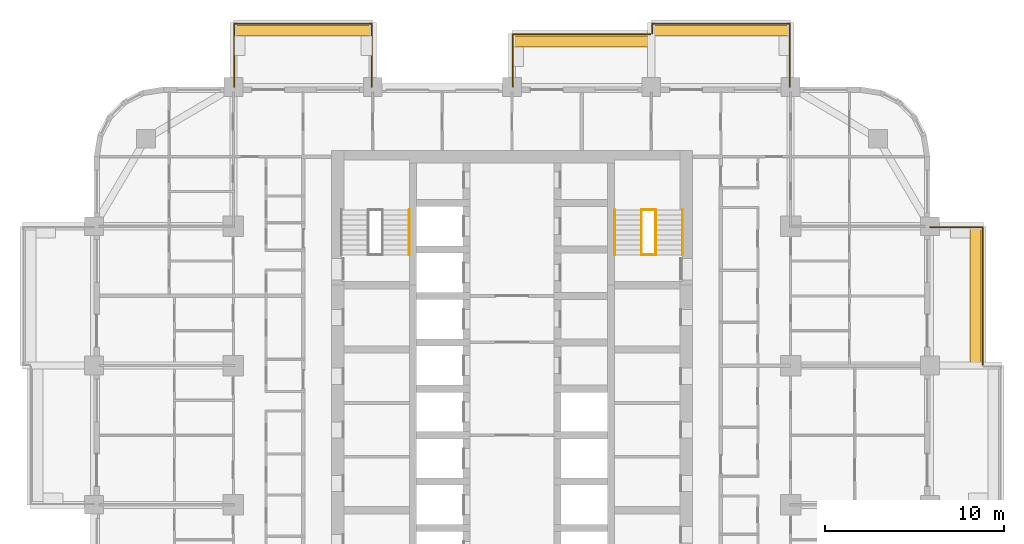
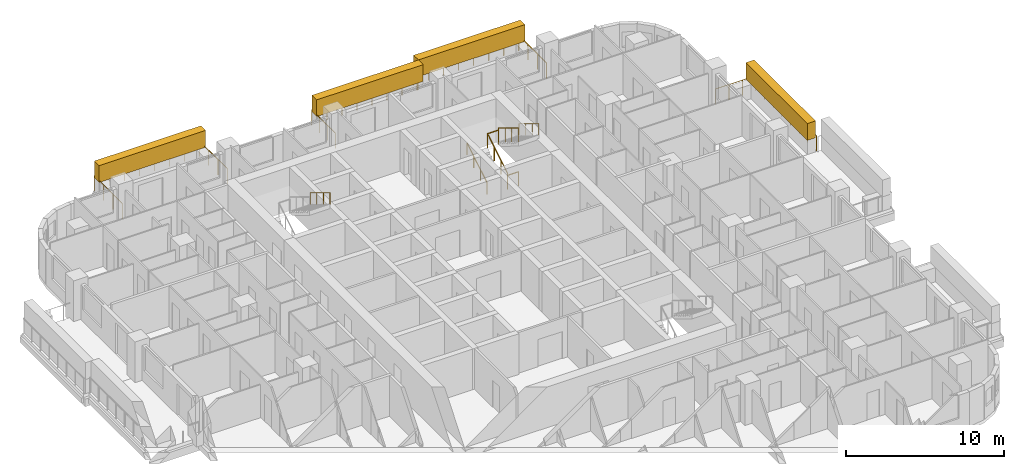
# One storey, part 18 of 18: 11 railings, 4 coverings, 2 elements without a shape of their own.
"""IFC4 building model written with IfcOpenShell, lengths in metres."""

from ifc_helpers import new_model, si_unit, direction, frame, origin, origin_2d, place, context, subcontext, project, spatial, rectangle, circle, extrude, material, layer, layer_set, type_object, element, aggregate, save


model = new_model("IFC4")

# Units and contexts
model_context = context("Model", 3, precision=1e-05, world=origin(), true_north=direction((0.0, 1.0)))
body_context = subcontext(model_context, "Body", "Model", "MODEL_VIEW")
ifc_project = project(units=[si_unit("LENGTHUNIT", "METRE"), si_unit("AREAUNIT", "SQUARE_METRE"), si_unit("VOLUMEUNIT", "CUBIC_METRE"), si_unit("PLANEANGLEUNIT", "RADIAN"), si_unit("MASSUNIT", "GRAM", prefix="KILO")], contexts=[model_context])

# Site, building, storey
site_placement = place(None, origin())
site = spatial("IfcSite", under=ifc_project, at=site_placement, CompositionType="ELEMENT")
building_placement = place(site_placement, origin())
building = spatial("IfcBuilding", under=site, at=building_placement, Name="Ludao Terraces", CompositionType="ELEMENT")
storey_placement = place(building_placement, frame((0.0, 0.0, 29.699951171875)))
storey = spatial("IfcBuildingStorey", under=building, at=storey_placement, Name="L07", CompositionType="ELEMENT", Elevation=29.699951171875)

# Railings
ifc_material_1 = material(Name="Stainless steel 304", Category="steel")
railing_type_1 = type_object("IfcRailingType", Name="ENV Balcony glass guard 1200", PredefinedType="GUARDRAIL", material=ifc_material_1)
railing_1_placement = place(storey_placement, frame((111.35009765625, 72.85009765625, 0.0)))
element("IfcRailing", 1, at=railing_1_placement, inside=storey, type_object=railing_type_1, Name="Balcony guard L07 E4", PredefinedType="GUARDRAIL", context=body_context, shape_type="SweptSolid", body=[
    extrude(circle(Radius=0.02392578125, at=origin_2d()), frame((0.0, 0.0, 1.17578125), z_axis=(0.0, 1.0, 0.0), x_axis=(-1.0, 0.0, 0.0)), (0.0, 0.0, 1.0), 7.699951171875),
    extrude(circle(Radius=0.02392578125, at=origin_2d()), frame((0.0, 7.699951171875, 1.17578125), z_axis=(-1.0, 0.0, 0.0), x_axis=(0.0, -1.0, 0.0)), (0.0, 0.0, 1.0), 2.9501953125),
    extrude(circle(Radius=0.02099609375, at=origin_2d()), origin(), (0.0, 0.0, 1.0), 1.15185546875),
    extrude(circle(Radius=0.02099609375, at=origin_2d()), frame((0.0, 1.10009765625, 0.0)), (0.0, 0.0, 1.0), 1.15185546875),
    extrude(circle(Radius=0.02099609375, at=origin_2d()), frame((0.0, 2.199951171875, 0.0)), (0.0, 0.0, 1.0), 1.15185546875),
    extrude(circle(Radius=0.02099609375, at=origin_2d()), frame((0.0, 3.300048828125, 0.0)), (0.0, 0.0, 1.0), 1.15185546875),
    extrude(circle(Radius=0.02099609375, at=origin_2d()), frame((0.0, 4.39990234375, 0.0)), (0.0, 0.0, 1.0), 1.15185546875),
    extrude(circle(Radius=0.02099609375, at=origin_2d()), frame((0.0, 5.5, 0.0)), (0.0, 0.0, 1.0), 1.15185546875),
    extrude(circle(Radius=0.02099609375, at=origin_2d()), frame((0.0, 6.599853515625, 0.0)), (0.0, 0.0, 1.0), 1.15185546875),
    extrude(circle(Radius=0.02099609375, at=origin_2d()), frame((0.0, 7.699951171875, 0.0)), (0.0, 0.0, 1.0), 1.15185546875),
    extrude(circle(Radius=0.02099609375, at=origin_2d()), frame((-0.9833984375, 7.699951171875, 0.0)), (0.0, 0.0, 1.0), 1.15185546875),
    extrude(circle(Radius=0.02099609375, at=origin_2d()), frame((-1.966796875, 7.699951171875, 0.0)), (0.0, 0.0, 1.0), 1.15185546875),
    extrude(circle(Radius=0.02099609375, at=origin_2d()), frame((-2.9501953125, 7.699951171875, 0.0)), (0.0, 0.0, 1.0), 1.15185546875),
])
railing_2_placement = place(storey_placement, frame((69.449951171875, 88.39990234375, 0.0)))
element("IfcRailing", 2, at=railing_2_placement, inside=storey, type_object=railing_type_1, Name="Balcony guard L07 N1", PredefinedType="GUARDRAIL", context=body_context, shape_type="SweptSolid", body=[
    extrude(circle(Radius=0.02392578125, at=origin_2d()), frame((0.0, 0.0, 1.17578125), z_axis=(0.0, 1.0, 0.0), x_axis=(-1.0, 0.0, 0.0)), (0.0, 0.0, 1.0), 3.550048828125),
    extrude(circle(Radius=0.02392578125, at=origin_2d()), frame((0.0, 3.550048828125, 1.17578125), z_axis=(1.0, 0.0, 0.0), x_axis=(0.0, 1.0, 0.0)), (0.0, 0.0, 1.0), 7.699951171875),
    extrude(circle(Radius=0.02392578125, at=origin_2d()), frame((7.699951171875, 3.550048828125, 1.17578125), z_axis=(0.0, -1.0, 0.0), x_axis=(1.0, 0.0, 0.0)), (0.0, 0.0, 1.0), 3.550048828125),
    extrude(circle(Radius=0.02099609375, at=origin_2d()), origin(), (0.0, 0.0, 1.0), 1.15185546875),
    extrude(circle(Radius=0.02099609375, at=origin_2d()), frame((0.0, 1.183349609375, 0.0)), (0.0, 0.0, 1.0), 1.15185546875),
    extrude(circle(Radius=0.02099609375, at=origin_2d()), frame((0.0, 2.36669921875, 0.0)), (0.0, 0.0, 1.0), 1.15185546875),
    extrude(circle(Radius=0.02099609375, at=origin_2d()), frame((0.0, 3.550048828125, 0.0)), (0.0, 0.0, 1.0), 1.15185546875),
    extrude(circle(Radius=0.02099609375, at=origin_2d()), frame((1.10009765625, 3.550048828125, 0.0)), (0.0, 0.0, 1.0), 1.15185546875),
    extrude(circle(Radius=0.02099609375, at=origin_2d()), frame((2.199951171875, 3.550048828125, 0.0)), (0.0, 0.0, 1.0), 1.15185546875),
    extrude(circle(Radius=0.02099609375, at=origin_2d()), frame((3.300048828125, 3.550048828125, 0.0)), (0.0, 0.0, 1.0), 1.15185546875),
    extrude(circle(Radius=0.02099609375, at=origin_2d()), frame((4.39990234375, 3.550048828125, 0.0)), (0.0, 0.0, 1.0), 1.15185546875),
    extrude(circle(Radius=0.02099609375, at=origin_2d()), frame((5.5, 3.550048828125, 0.0)), (0.0, 0.0, 1.0), 1.15185546875),
    extrude(circle(Radius=0.02099609375, at=origin_2d()), frame((6.599853515625, 3.550048828125, 0.0)), (0.0, 0.0, 1.0), 1.15185546875),
    extrude(circle(Radius=0.02099609375, at=origin_2d()), frame((7.699951171875, 3.550048828125, 0.0)), (0.0, 0.0, 1.0), 1.15185546875),
    extrude(circle(Radius=0.02099609375, at=origin_2d()), frame((7.699951171875, 2.36669921875, 0.0)), (0.0, 0.0, 1.0), 1.15185546875),
    extrude(circle(Radius=0.02099609375, at=origin_2d()), frame((7.699951171875, 1.183349609375, 0.0)), (0.0, 0.0, 1.0), 1.15185546875),
    extrude(circle(Radius=0.02099609375, at=origin_2d()), frame((7.699951171875, 0.0, 0.0)), (0.0, 0.0, 1.0), 1.15185546875),
])
railing_3_placement = place(storey_placement, frame((85.050048828125, 88.39990234375, 0.0)))
element("IfcRailing", 3, at=railing_3_placement, inside=storey, type_object=railing_type_1, Name="Balcony guard L07 N3", PredefinedType="GUARDRAIL", context=body_context, shape_type="SweptSolid", body=[
    extrude(circle(Radius=0.02392578125, at=origin_2d()), frame((0.0, 0.0, 1.17578125), z_axis=(0.0, 1.0, 0.0), x_axis=(-1.0, 0.0, 0.0)), (0.0, 0.0, 1.0), 2.9501953125),
    extrude(circle(Radius=0.02392578125, at=origin_2d()), frame((0.0, 2.9501953125, 1.17578125), z_axis=(1.0, 0.0, 0.0), x_axis=(0.0, 1.0, 0.0)), (0.0, 0.0, 1.0), 7.699951171875),
    extrude(circle(Radius=0.02099609375, at=origin_2d()), origin(), (0.0, 0.0, 1.0), 1.15185546875),
    extrude(circle(Radius=0.02099609375, at=origin_2d()), frame((0.0, 0.9833984375, 0.0)), (0.0, 0.0, 1.0), 1.15185546875),
    extrude(circle(Radius=0.02099609375, at=origin_2d()), frame((0.0, 1.966796875, 0.0)), (0.0, 0.0, 1.0), 1.15185546875),
    extrude(circle(Radius=0.02099609375, at=origin_2d()), frame((0.0, 2.9501953125, 0.0)), (0.0, 0.0, 1.0), 1.15185546875),
    extrude(circle(Radius=0.02099609375, at=origin_2d()), frame((1.10009765625, 2.9501953125, 0.0)), (0.0, 0.0, 1.0), 1.15185546875),
    extrude(circle(Radius=0.02099609375, at=origin_2d()), frame((2.199951171875, 2.9501953125, 0.0)), (0.0, 0.0, 1.0), 1.15185546875),
    extrude(circle(Radius=0.02099609375, at=origin_2d()), frame((3.300048828125, 2.9501953125, 0.0)), (0.0, 0.0, 1.0), 1.15185546875),
    extrude(circle(Radius=0.02099609375, at=origin_2d()), frame((4.39990234375, 2.9501953125, 0.0)), (0.0, 0.0, 1.0), 1.15185546875),
    extrude(circle(Radius=0.02099609375, at=origin_2d()), frame((5.5, 2.9501953125, 0.0)), (0.0, 0.0, 1.0), 1.15185546875),
    extrude(circle(Radius=0.02099609375, at=origin_2d()), frame((6.599853515625, 2.9501953125, 0.0)), (0.0, 0.0, 1.0), 1.15185546875),
    extrude(circle(Radius=0.02099609375, at=origin_2d()), frame((7.699951171875, 2.9501953125, 0.0)), (0.0, 0.0, 1.0), 1.15185546875),
])
railing_4_placement = place(storey_placement, frame((92.85009765625, 91.39990234375, 0.0)))
element("IfcRailing", 4, at=railing_4_placement, inside=storey, type_object=railing_type_1, Name="Balcony guard L07 N4", PredefinedType="GUARDRAIL", context=body_context, shape_type="SweptSolid", body=[
    extrude(circle(Radius=0.02392578125, at=origin_2d()), frame((0.0, 0.0, 1.17578125), z_axis=(0.0, 1.0, 0.0), x_axis=(-1.0, 0.0, 0.0)), (0.0, 0.0, 1.0), 0.550048828125),
    extrude(circle(Radius=0.02392578125, at=origin_2d()), frame((0.0, 0.550048828125, 1.17578125), z_axis=(1.0, 0.0, 0.0), x_axis=(0.0, 1.0, 0.0)), (0.0, 0.0, 1.0), 7.699951171875),
    extrude(circle(Radius=0.02392578125, at=origin_2d()), frame((7.699951171875, 0.550048828125, 1.17578125), z_axis=(0.0, -1.0, 0.0), x_axis=(1.0, 0.0, 0.0)), (0.0, 0.0, 1.0), 3.550048828125),
    extrude(circle(Radius=0.02099609375, at=origin_2d()), origin(), (0.0, 0.0, 1.0), 1.15185546875),
    extrude(circle(Radius=0.02099609375, at=origin_2d()), frame((0.0, 0.550048828125, 0.0)), (0.0, 0.0, 1.0), 1.15185546875),
    extrude(circle(Radius=0.02099609375, at=origin_2d()), frame((1.10009765625, 0.550048828125, 0.0)), (0.0, 0.0, 1.0), 1.15185546875),
    extrude(circle(Radius=0.02099609375, at=origin_2d()), frame((2.199951171875, 0.550048828125, 0.0)), (0.0, 0.0, 1.0), 1.15185546875),
    extrude(circle(Radius=0.02099609375, at=origin_2d()), frame((3.300048828125, 0.550048828125, 0.0)), (0.0, 0.0, 1.0), 1.15185546875),
    extrude(circle(Radius=0.02099609375, at=origin_2d()), frame((4.39990234375, 0.550048828125, 0.0)), (0.0, 0.0, 1.0), 1.15185546875),
    extrude(circle(Radius=0.02099609375, at=origin_2d()), frame((5.5, 0.550048828125, 0.0)), (0.0, 0.0, 1.0), 1.15185546875),
    extrude(circle(Radius=0.02099609375, at=origin_2d()), frame((6.599853515625, 0.550048828125, 0.0)), (0.0, 0.0, 1.0), 1.15185546875),
    extrude(circle(Radius=0.02099609375, at=origin_2d()), frame((7.699951171875, 0.550048828125, 0.0)), (0.0, 0.0, 1.0), 1.15185546875),
    extrude(circle(Radius=0.02099609375, at=origin_2d()), frame((7.699951171875, -0.63330078125, 0.0)), (0.0, 0.0, 1.0), 1.15185546875),
    extrude(circle(Radius=0.02099609375, at=origin_2d()), frame((7.699951171875, -1.816650390625, 0.0)), (0.0, 0.0, 1.0), 1.15185546875),
    extrude(circle(Radius=0.02099609375, at=origin_2d()), frame((7.699951171875, -3.0, 0.0)), (0.0, 0.0, 1.0), 1.15185546875),
])

# Coverings
ifc_material_2 = material(Name="Planting")
ifc_layer = layer(ifc_material_2, 0.60009765625)
ifc_layer_set = layer_set([ifc_layer], Name="ENV Planting hedge 600x1300")
covering_type = type_object("IfcCoveringType", Name="ENV Planting hedge 600x1300", PredefinedType="USERDEFINED", material=ifc_layer_set)
covering_placement = place(storey_placement, frame((110.949951171875, 76.699951171875, 1.10009765625), z_axis=(0.0, 0.0, 1.0), x_axis=(1.0, 0.0, 0.0)))
element("IfcCovering", 5, at=covering_placement, inside=storey, type_object=covering_type, Name="Planting hedge L07-E4", ObjectType="PLANTING", PredefinedType="USERDEFINED", context=body_context, shape_type="SweptSolid", body=[
    extrude(rectangle(XDim=0.60009765625, YDim=7.800048828125, at=origin_2d()), origin(), (0.0, 0.0, 1.0), 1.300048828125),
])
for number, where, z_axis, x_axis, name in (
    (6, (73.300048828125, 91.550048828125, 1.10009765625), (0.0, 0.0, 1.0), (1.0, 0.0, 0.0), "Planting hedge L07-N1"),
    (7, (88.89990234375, 90.949951171875, 1.10009765625), (0.0, 0.0, 1.0), (1.0, 0.0, 0.0), "Planting hedge L07-N3"),
    (8, (96.699951171875, 91.550048828125, 1.10009765625), (0.0, 0.0, 1.0), (1.0, 0.0, 0.0), "Planting hedge L07-N4"),
):
    element("IfcCovering", number, at=place(storey_placement, frame(where, z_axis=z_axis, x_axis=x_axis)), inside=storey, type_object=covering_type, Name=name, ObjectType="PLANTING", PredefinedType="USERDEFINED", context=body_context, shape_type="SweptSolid", body=[
        extrude(rectangle(XDim=7.800048828125, YDim=0.60009765625, at=origin_2d()), origin(), (0.0, 0.0, 1.0), 1.300048828125),
    ])

# Stair, railings
ifc_material_3 = material(Name="Concrete C40", Category="concrete")
stair_type = type_object("IfcStairType", Name="INT Stair", PredefinedType="HALF_TURN_STAIR", material=ifc_material_3)
stair_1_placement = place(storey_placement, origin())
stair_1 = element("IfcStair", 9, at=stair_1_placement, inside=storey, type_object=stair_type, Name="EXIT STAIR 2", PredefinedType="HALF_TURN_STAIR")
railing_type_2 = type_object("IfcRailingType", Name="INT Stair guard 1100", PredefinedType="GUARDRAIL", material=ifc_material_1)
railing_5_placement = place(storey_placement, frame((92.25, 79.0, 0.170166015625)))
railing_5 = element("IfcRailing", 10, at=railing_5_placement, type_object=railing_type_2, Name="ST-L07-S2-R1G", PredefinedType="GUARDRAIL", context=body_context, shape_type="SweptSolid", body=[
    extrude(circle(Radius=0.02392578125, at=origin_2d()), frame((0.0, 0.0, 1.076171875), z_axis=(0.0, 0.854821627497, 0.518921945155), x_axis=(-1.0, 0.0, 0.0)), (0.0, 0.0, 1.0), 2.947998046875),
    extrude(circle(Radius=0.02099609375, at=origin_2d()), origin(), (0.0, 0.0, 1.0), 1.052001953125),
    extrude(circle(Radius=0.02099609375, at=origin_2d()), frame((0.0, 0.840087890625, 0.510009765625)), (0.0, 0.0, 1.0), 1.052001953125),
    extrude(circle(Radius=0.02099609375, at=origin_2d()), frame((0.0, 1.679931640625, 1.019775390625)), (0.0, 0.0, 1.0), 1.052001953125),
    extrude(circle(Radius=0.02099609375, at=origin_2d()), frame((0.0, 2.52001953125, 1.52978515625)), (0.0, 0.0, 1.0), 1.052001953125),
])
railing_6_placement = place(storey_placement, frame((93.050048828125, 81.52001953125, 1.8701171875)))
railing_6 = element("IfcRailing", 11, at=railing_6_placement, type_object=railing_type_2, Name="ST-L07-S2-R2G", PredefinedType="GUARDRAIL", context=body_context, shape_type="SweptSolid", body=[
    extrude(circle(Radius=0.02392578125, at=origin_2d()), frame((0.0, 0.0, 1.076171875), z_axis=(0.0, -0.85478489116, 0.518982456201), x_axis=(1.0, 0.0, 0.0)), (0.0, 0.0, 1.0), 2.9482421875),
    extrude(circle(Radius=0.02099609375, at=origin_2d()), origin(), (0.0, 0.0, 1.0), 1.052001953125),
    extrude(circle(Radius=0.02099609375, at=origin_2d()), frame((0.0, -0.840087890625, 0.510009765625)), (0.0, 0.0, 1.0), 1.052001953125),
    extrude(circle(Radius=0.02099609375, at=origin_2d()), frame((0.0, -1.679931640625, 1.02001953125)), (0.0, 0.0, 1.0), 1.052001953125),
    extrude(circle(Radius=0.02099609375, at=origin_2d()), frame((0.0, -2.52001953125, 1.530029296875)), (0.0, 0.0, 1.0), 1.052001953125),
])
railing_7_placement = place(storey_placement, frame((92.25, 81.52001953125, 1.699951171875)))
railing_7 = element("IfcRailing", 12, at=railing_7_placement, type_object=railing_type_2, Name="ST-L07-S2-E1G", PredefinedType="GUARDRAIL", context=body_context, shape_type="SweptSolid", body=[
    extrude(circle(Radius=0.02392578125, at=origin_2d()), frame((0.0, 0.0, 1.076171875), z_axis=(1.0, 0.0, 0.0), x_axis=(0.0, 1.0, 0.0)), (0.0, 0.0, 1.0), 0.800048828125),
    extrude(circle(Radius=0.02099609375, at=origin_2d()), origin(), (0.0, 0.0, 1.0), 1.052001953125),
    extrude(circle(Radius=0.02099609375, at=origin_2d()), frame((0.800048828125, 0.0, 0.0)), (0.0, 0.0, 1.0), 1.052001953125),
])
railing_8_placement = place(storey_placement, frame((92.25, 79.0, 0.0)))
railing_8 = element("IfcRailing", 13, at=railing_8_placement, type_object=railing_type_2, Name="ST-L07-S2-E2G", PredefinedType="GUARDRAIL", context=body_context, shape_type="SweptSolid", body=[
    extrude(circle(Radius=0.02392578125, at=origin_2d()), frame((0.0, 0.0, 1.076171875), z_axis=(1.0, 0.0, 0.0), x_axis=(0.0, 1.0, 0.0)), (0.0, 0.0, 1.0), 0.800048828125),
    extrude(circle(Radius=0.02099609375, at=origin_2d()), origin(), (0.0, 0.0, 1.0), 1.052001953125),
    extrude(circle(Radius=0.02099609375, at=origin_2d()), frame((0.800048828125, 0.0, 0.0)), (0.0, 0.0, 1.0), 1.052001953125),
])

# Stair, railing
stair_2_placement = place(storey_placement, origin())
stair_2 = element("IfcStair", 14, at=stair_2_placement, inside=storey, type_object=stair_type, Name="EXIT STAIR 1", PredefinedType="HALF_TURN_STAIR")
railing_type_3 = type_object("IfcRailingType", Name="INT Stair handrail 900", PredefinedType="HANDRAIL", material=ifc_material_1)
railing_9_placement = place(storey_placement, frame((79.25, 81.52001953125, 1.8701171875)))
railing_9 = element("IfcRailing", 15, at=railing_9_placement, type_object=railing_type_3, Name="ST-L07-S1-R2H", PredefinedType="HANDRAIL", context=body_context, shape_type="SweptSolid", body=[
    extrude(circle(Radius=0.02392578125, at=origin_2d()), frame((0.0, 0.0, 0.8759765625), z_axis=(0.0, -0.85478489116, 0.518982456201), x_axis=(1.0, 0.0, 0.0)), (0.0, 0.0, 1.0), 2.9482421875),
    extrude(circle(Radius=0.02099609375, at=origin_2d()), origin(), (0.0, 0.0, 1.0), 0.851806640625),
    extrude(circle(Radius=0.02099609375, at=origin_2d()), frame((0.0, -0.840087890625, 0.510009765625)), (0.0, 0.0, 1.0), 0.851806640625),
    extrude(circle(Radius=0.02099609375, at=origin_2d()), frame((0.0, -1.679931640625, 1.02001953125)), (0.0, 0.0, 1.0), 0.851806640625),
    extrude(circle(Radius=0.02099609375, at=origin_2d()), frame((0.0, -2.52001953125, 1.530029296875)), (0.0, 0.0, 1.0), 0.851806640625),
])
aggregate(stair_2, [railing_9])

# Railing
railing_10_placement = place(storey_placement, frame((90.75, 79.0, 0.170166015625)))
railing_10 = element("IfcRailing", 16, at=railing_10_placement, type_object=railing_type_3, Name="ST-L07-S2-R1H", PredefinedType="HANDRAIL", context=body_context, shape_type="SweptSolid", body=[
    extrude(circle(Radius=0.02392578125, at=origin_2d()), frame((0.0, 0.0, 0.8759765625), z_axis=(0.0, 0.854821627497, 0.518921945155), x_axis=(-1.0, 0.0, 0.0)), (0.0, 0.0, 1.0), 2.947998046875),
    extrude(circle(Radius=0.02099609375, at=origin_2d()), origin(), (0.0, 0.0, 1.0), 0.851806640625),
    extrude(circle(Radius=0.02099609375, at=origin_2d()), frame((0.0, 0.840087890625, 0.510009765625)), (0.0, 0.0, 1.0), 0.851806640625),
    extrude(circle(Radius=0.02099609375, at=origin_2d()), frame((0.0, 1.679931640625, 1.019775390625)), (0.0, 0.0, 1.0), 0.851806640625),
    extrude(circle(Radius=0.02099609375, at=origin_2d()), frame((0.0, 2.52001953125, 1.52978515625)), (0.0, 0.0, 1.0), 0.851806640625),
])

railing_11_placement = place(storey_placement, frame((94.550048828125, 81.52001953125, 1.8701171875)))
railing_11 = element("IfcRailing", 17, at=railing_11_placement, type_object=railing_type_3, Name="ST-L07-S2-R2H", PredefinedType="HANDRAIL", context=body_context, shape_type="SweptSolid", body=[
    extrude(circle(Radius=0.02392578125, at=origin_2d()), frame((0.0, 0.0, 0.8759765625), z_axis=(0.0, -0.85478489116, 0.518982456201), x_axis=(1.0, 0.0, 0.0)), (0.0, 0.0, 1.0), 2.9482421875),
    extrude(circle(Radius=0.02099609375, at=origin_2d()), origin(), (0.0, 0.0, 1.0), 0.851806640625),
    extrude(circle(Radius=0.02099609375, at=origin_2d()), frame((0.0, -0.840087890625, 0.510009765625)), (0.0, 0.0, 1.0), 0.851806640625),
    extrude(circle(Radius=0.02099609375, at=origin_2d()), frame((0.0, -1.679931640625, 1.02001953125)), (0.0, 0.0, 1.0), 0.851806640625),
    extrude(circle(Radius=0.02099609375, at=origin_2d()), frame((0.0, -2.52001953125, 1.530029296875)), (0.0, 0.0, 1.0), 0.851806640625),
])

aggregate(stair_1, [railing_5, railing_10, railing_6, railing_11, railing_7, railing_8])

save(model, "model.ifc")
